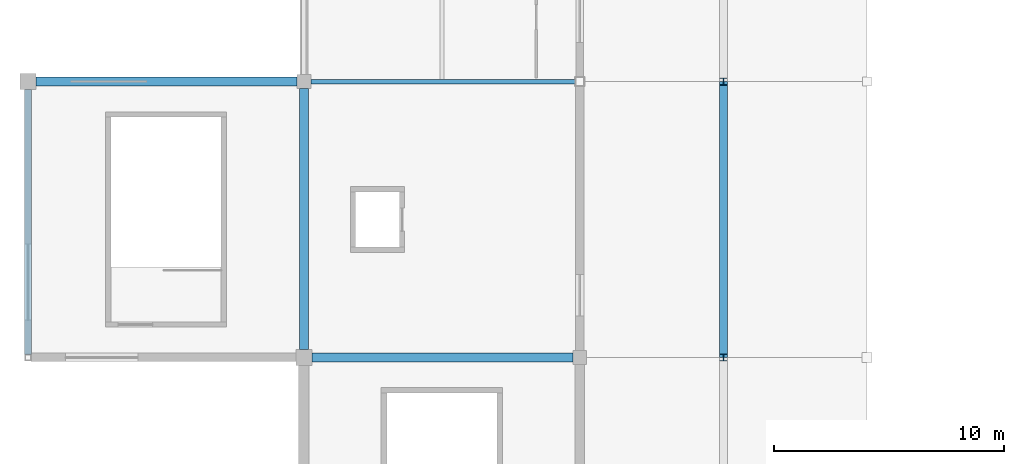
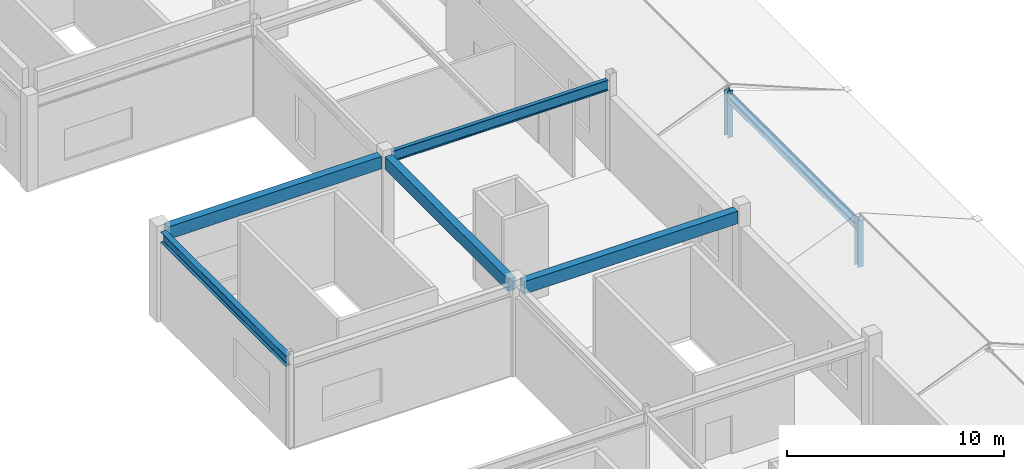
# One storey, part 28 of 76: 5 beams, 3 members.
"""IFC4 building model written with IfcOpenShell, lengths in metres."""

import ifcopenshell
import ifcopenshell.guid

model = None  # the IFC model being written
_history = None  # IfcOwnerHistory: only IFC2X3 demands one
_inside = {}  # id of a spatial element -> (the spatial element, [elements in it])
_under = {}  # id of a project, library or spatial element -> (it, [spatial elements below it])
_declared = {}  # id of a project -> (the project, [libraries it declares])
_typed = {}  # id of a type object -> (the type object, [elements of that type])
_made_of = {}  # id of a material, layer set ... -> (it, [elements and type objects made of it])


def new_model(schema):
    """Start an empty IFC model of exactly this schema.

    Asked for "IFC4X3", IfcOpenShell would pick the latest addendum, in which some entities
    have other attributes; the version numbers below select the first issue.
    IFC2X3 requires an IfcOwnerHistory on every rooted entity: one is made here for all.
    """
    global model, _history
    if schema == "IFC4X3":
        model = ifcopenshell.file(schema_version=(4, 3, 0, 0))
    else:
        model = ifcopenshell.file(schema=schema)
    _inside.clear()
    _under.clear()
    _declared.clear()
    _typed.clear()
    _made_of.clear()
    _history = None
    if model.schema == "IFC2X3":
        org = make("IfcOrganization", Name="unknown")
        user = make(
            "IfcPersonAndOrganization",
            ThePerson=make("IfcPerson", FamilyName="unknown"),
            TheOrganization=org,
        )
        app = make(
            "IfcApplication",
            ApplicationDeveloper=org,
            Version="unknown",
            ApplicationFullName="unknown",
            ApplicationIdentifier="unknown",
        )
        _history = make(
            "IfcOwnerHistory",
            OwningUser=user,
            OwningApplication=app,
            ChangeAction="ADDED",
            CreationDate=0,
        )
    return model


def make(cls, **values):
    """One entity of the class cls with the attributes given. An attribute that is None is left unset."""
    return model.create_entity(
        cls, **{name: value for name, value in values.items() if value is not None}
    )


def rooted(cls, **values):
    """An entity with a GlobalId (a new one), such as an element, a storey or a relation."""
    return make(cls, GlobalId=ifcopenshell.guid.new(), OwnerHistory=_history, **values)


def si_unit(unit_type, name, prefix=None):
    """IfcSIUnit, for example si_unit("LENGTHUNIT", "METRE", prefix="MILLI")."""
    return make("IfcSIUnit", UnitType=unit_type, Prefix=prefix, Name=name)


def assignment(units):
    """IfcUnitAssignment: the units of a project."""
    return None if units is None else make("IfcUnitAssignment", Units=units)


def point(xyz):
    """IfcCartesianPoint."""
    return None if xyz is None else make("IfcCartesianPoint", Coordinates=xyz)


def direction(xyz):
    """IfcDirection."""
    return None if xyz is None else make("IfcDirection", DirectionRatios=xyz)


def frame(location, z_axis=None, x_axis=None):
    """IfcAxis2Placement3D, a coordinate frame: its origin and axes. An axis left out is left unset."""
    return make(
        "IfcAxis2Placement3D",
        Location=point(location),
        Axis=direction(z_axis),
        RefDirection=direction(x_axis),
    )


def frame_2d(location, x_axis=None):
    """IfcAxis2Placement2D, a coordinate frame in the plane: its origin and x axis."""
    return make(
        "IfcAxis2Placement2D", Location=point(location), RefDirection=direction(x_axis)
    )


def origin():
    """The frame at (0, 0, 0) with its axes left unset."""
    return frame((0.0, 0.0, 0.0))


def origin_2d():
    """The frame at (0, 0) in the plane with its x axis left unset."""
    return frame_2d((0.0, 0.0))


def place(relative_to, where):
    """IfcLocalPlacement: puts the frame where relative to a parent placement (None: the world)."""
    return make(
        "IfcLocalPlacement", PlacementRelTo=relative_to, RelativePlacement=where
    )


def context(
    kind, dimensions, precision=None, world=None, true_north=None, identifier=None
):
    """IfcGeometricRepresentationContext, for example the 3D "Model" context."""
    return make(
        "IfcGeometricRepresentationContext",
        ContextIdentifier=identifier,
        ContextType=kind,
        CoordinateSpaceDimension=dimensions,
        Precision=precision,
        WorldCoordinateSystem=world,
        TrueNorth=true_north,
    )


def subcontext(parent, identifier, kind, view, scale=None):
    """IfcGeometricRepresentationSubContext, for example "Body" below "Model"."""
    return make(
        "IfcGeometricRepresentationSubContext",
        ContextIdentifier=identifier,
        ContextType=kind,
        ParentContext=parent,
        TargetScale=scale,
        TargetView=view,
    )


def project(units=None, contexts=None):
    """IfcProject with its units and contexts."""
    return rooted(
        "IfcProject",
        Name="project",
        RepresentationContexts=contexts,
        UnitsInContext=assignment(units),
    )


def spatial(cls, under=None, at=None, **own):
    """A site, building, storey or space (cls), placed at a placement, below another one or the project."""
    s = rooted(cls, ObjectPlacement=at, **own)
    if under is not None:
        _under.setdefault(under.id(), (under, []))[1].append(s)
    return s


def profile(cls, at=None, kind="AREA", **sizes):
    """A parametric profile (cls). Its sizes go by their IFC names, for example OverallWidth=200.0."""
    return make(cls, ProfileType=kind, Position=at, **sizes)


def rectangle(**sizes):
    """IfcRectangleProfileDef."""
    return profile("IfcRectangleProfileDef", **sizes)


def i_section(**sizes):
    """IfcIShapeProfileDef."""
    return profile("IfcIShapeProfileDef", **sizes)


def extrude(swept, where, along, depth):
    """IfcExtrudedAreaSolid: the profile swept, set in the frame where, extruded along a direction by depth."""
    return make(
        "IfcExtrudedAreaSolid",
        SweptArea=swept,
        Position=where,
        ExtrudedDirection=direction(along),
        Depth=depth,
    )


def shape(context_of_items, identifier, shape_type, items):
    """IfcShapeRepresentation: the items that make up one representation, for example the "Body"."""
    return make(
        "IfcShapeRepresentation",
        ContextOfItems=context_of_items,
        RepresentationIdentifier=identifier,
        RepresentationType=shape_type,
        Items=items,
    )


def material(Name=None, Category=None):
    """IfcMaterial."""
    return make("IfcMaterial", Name=Name, Category=Category)


def material_profile(
    of_material, cross_section, Name=None, Category=None, Priority=None
):
    """IfcMaterialProfile: a cross section and its material."""
    return make(
        "IfcMaterialProfile",
        Name=Name,
        Material=of_material,
        Profile=cross_section,
        Priority=Priority,
        Category=Category,
    )


def profile_set(profiles, Name=None, composite=None):
    """IfcMaterialProfileSet."""
    return make(
        "IfcMaterialProfileSet",
        Name=Name,
        MaterialProfiles=profiles,
        CompositeProfile=composite,
    )


def made_of(thing, what):
    """Note that an element or type object is made of a material, layer set ...; save() writes the relation."""
    if what is not None:
        _made_of.setdefault(what.id(), (what, []))[1].append(thing)
    return thing


def type_object(cls, material=None, **own):
    """A type object (cls), such as IfcWallType, which elements share."""
    return made_of(rooted(cls, **own), material)


def element(
    cls,
    number,
    at=None,
    inside=None,
    cuts=None,
    type_object=None,
    material=None,
    context=None,
    identifier="Body",
    shape_type=None,
    held_by="IfcProductDefinitionShape",
    body=None,
    shapes=None,
    **own,
):
    """One element of the class cls, such as IfcWall. Its Tag is "e" and its number.

    at: its placement. inside: the storey or other place that contains it. cuts: it is an
    opening in that element (IfcRelVoidsElement). A single representation is given by context,
    identifier, shape_type and body (its items); several are given by shapes. held_by: the class
    of the entity that holds the representations. save() writes the other relations.
    """
    e = rooted(cls, Tag="e%d" % number, ObjectPlacement=at, **own)
    if body is not None:
        shapes = [shape(context, identifier, shape_type, body)]
    if shapes is not None:
        e.Representation = make(held_by, Representations=shapes)
    if inside is not None:
        _inside.setdefault(inside.id(), (inside, []))[1].append(e)
    if cuts is not None:
        rooted(
            "IfcRelVoidsElement", RelatingBuildingElement=cuts, RelatedOpeningElement=e
        )
    if type_object is not None:
        _typed.setdefault(type_object.id(), (type_object, []))[1].append(e)
    return made_of(e, material)


def aggregate(whole, parts):
    """IfcRelAggregates: a whole, such as a stair, and the parts it consists of."""
    return rooted("IfcRelAggregates", RelatingObject=whole, RelatedObjects=parts)


def save(model, path):
    """Write the relations noted so far, then the file.

    IfcRelAggregates (storeys below a building ...), IfcRelContainedInSpatialStructure (elements
    in a storey), IfcRelDefinesByType, IfcRelAssociatesMaterial and IfcRelDeclares: one each for
    every whole, place, type object, material and project.
    """
    for whole, parts in _under.values():
        aggregate(whole, parts)
    for where, things in _inside.values():
        rooted(
            "IfcRelContainedInSpatialStructure",
            RelatedElements=things,
            RelatingStructure=where,
        )
    for kind, things in _typed.values():
        rooted("IfcRelDefinesByType", RelatedObjects=things, RelatingType=kind)
    for what, things in _made_of.values():
        rooted("IfcRelAssociatesMaterial", RelatedObjects=things, RelatingMaterial=what)
    for by, libraries in _declared.values():
        rooted("IfcRelDeclares", RelatingContext=by, RelatedDefinitions=libraries)
    model.write(path)


model = new_model("IFC4")

# Units and contexts
model_context = context("Model", 3, precision=1e-05, world=origin(), true_north=direction((0.0, 1.0)))
body_context = subcontext(model_context, "Body", "Model", "MODEL_VIEW")
ifc_project = project(units=[si_unit("LENGTHUNIT", "METRE"), si_unit("AREAUNIT", "SQUARE_METRE"), si_unit("VOLUMEUNIT", "CUBIC_METRE"), si_unit("PLANEANGLEUNIT", "RADIAN"), si_unit("MASSUNIT", "GRAM", prefix="KILO")], contexts=[model_context])

# Site, building, storey
site_placement = place(None, origin())
site = spatial("IfcSite", under=ifc_project, at=site_placement, CompositionType="ELEMENT")
building_placement = place(site_placement, origin())
building = spatial("IfcBuilding", under=site, at=building_placement, Name="Kazenohara Klinker Stadium", CompositionType="ELEMENT")
storey_placement = place(building_placement, frame((0.0, 0.0, 25.800048828125)))
storey = spatial("IfcBuildingStorey", under=building, at=storey_placement, Name="L05", CompositionType="ELEMENT", Elevation=25.800048828125)

# Beams
ifc_material_1 = material(Name="Concrete C40/50", Category="concrete")
ifc_material_profile_1 = material_profile(ifc_material_1, rectangle(XDim=0.39990234375, YDim=0.699951171875, at=origin_2d()), Name="RC-BM-400x700")
ifc_profile_set_1 = profile_set([ifc_material_profile_1], Name="Concrete C40/50")
beam_type_1 = type_object("IfcBeamType", Name="BM-RC04", PredefinedType="BEAM", material=ifc_profile_set_1)
for number, where, z_axis, x_axis, name in (
    (1, (0.35009765625, 72.0, 4.68994140625), (1.0, 0.0, 0.0), (0.0, 1.0, 0.0), "Primary girder BG04 L05 1-2/G"),
    (2, (12.35009765625, 60.0, 4.68994140625), (1.0, 0.0, 0.0), (0.0, 1.0, 0.0), "Primary girder BG04 L05 2-3/F"),
    (3, (12.0, 60.35009765625, 4.68994140625), (0.0, 1.0, 0.0), (-1.0, 0.0, 0.0), "Primary girder BG04 L05 2/F-G"),
):
    element("IfcBeam", number, at=place(storey_placement, frame(where, z_axis=z_axis, x_axis=x_axis)), inside=storey, type_object=beam_type_1, Name=name, PredefinedType="BEAM", context=body_context, shape_type="SweptSolid", body=[
        extrude(rectangle(XDim=0.39990234375, YDim=0.699951171875, at=origin_2d()), origin(), (0.0, 0.0, 1.0), 11.349853515625),
    ])
ifc_material_2 = material(Name="Steel S355", Category="steel")
ifc_material_profile_2 = material_profile(ifc_material_2, i_section(OverallWidth=0.199951171875, OverallDepth=0.60009765625, WebThickness=0.010986328125, FlangeThickness=0.01708984375, FilletRadius=0.012939453125, at=origin_2d()), Name="H-600x200x11x17")
ifc_profile_set_2 = profile_set([ifc_material_profile_2], Name="Steel S355")
beam_type_2 = type_object("IfcBeamType", Name="BM-ST04", PredefinedType="BEAM", material=ifc_profile_set_2)
beam_1_placement = place(storey_placement, frame((12.300048828125, 72.0, 4.739990234375), z_axis=(1.0, 0.0, 0.0), x_axis=(0.0, 1.0, 0.0)))
element("IfcBeam", 4, at=beam_1_placement, inside=storey, type_object=beam_type_2, Name="Primary girder SB04 L05 2-3/G", PredefinedType="BEAM", context=body_context, shape_type="SweptSolid", body=[
    extrude(i_section(OverallWidth=0.199951171875, OverallDepth=0.60009765625, WebThickness=0.010986328125, FlangeThickness=0.01708984375, FilletRadius=0.012939453125, at=origin_2d()), origin(), (0.0, 0.0, 1.0), 11.5),
])
ifc_material_profile_3 = material_profile(ifc_material_2, i_section(OverallWidth=0.300048828125, OverallDepth=0.587890625, WebThickness=0.011962890625, FlangeThickness=0.02001953125, FilletRadius=0.02197265625, at=origin_2d()), Name="H-588x300x12x20")
ifc_profile_set_3 = profile_set([ifc_material_profile_3], Name="Steel S355")
beam_type_3 = type_object("IfcBeamType", Name="BM-ST05", PredefinedType="BEAM", material=ifc_profile_set_3)
beam_2_placement = place(storey_placement, frame((0.0, 60.125, 4.745849609375), z_axis=(0.0, 1.0, 0.0), x_axis=(-1.0, 0.0, 0.0)))
element("IfcBeam", 5, at=beam_2_placement, inside=storey, type_object=beam_type_3, Name="Primary girder SB05 L05 1/F-G", PredefinedType="BEAM", context=body_context, shape_type="SweptSolid", body=[
    extrude(i_section(OverallWidth=0.300048828125, OverallDepth=0.587890625, WebThickness=0.011962890625, FlangeThickness=0.02001953125, FilletRadius=0.02197265625, at=origin_2d()), origin(), (0.0, 0.0, 1.0), 11.52490234375),
])

# Members
ifc_material_profile_4 = material_profile(ifc_material_2, i_section(OverallWidth=0.35009765625, OverallDepth=0.35009765625, WebThickness=0.011962890625, FlangeThickness=0.01904296875, FilletRadius=0.012939453125, at=origin_2d()), Name="H-350x350x12x19")
ifc_profile_set_4 = profile_set([ifc_material_profile_4], Name="Steel S355")
member_type_1 = type_object("IfcMemberType", Name="MEM-CHD02", PredefinedType="CHORD", material=ifc_profile_set_4)
member_placement = place(storey_placement, frame((30.25, 60.0, 1.829833984375), z_axis=(0.0, 1.0, 0.0), x_axis=(-1.0, 0.0, 0.0)))
element("IfcMember", 6, at=member_placement, inside=storey, type_object=member_type_1, Name="Stepped pavilion gable ridge beam L05 3/F", PredefinedType="CHORD", context=body_context, shape_type="SweptSolid", body=[
    extrude(i_section(OverallWidth=0.35009765625, OverallDepth=0.35009765625, WebThickness=0.011962890625, FlangeThickness=0.01904296875, FilletRadius=0.012939453125, at=origin_2d()), origin(), (0.0, 0.0, 1.0), 12.0),
])
ifc_material_profile_5 = material_profile(ifc_material_2, i_section(OverallWidth=0.300048828125, OverallDepth=0.300048828125, WebThickness=0.010009765625, FlangeThickness=0.014892578125, FilletRadius=0.012939453125, at=origin_2d()), Name="H-300x300x10x15")
ifc_profile_set_5 = profile_set([ifc_material_profile_5], Name="Steel S355")
member_type_2 = type_object("IfcMemberType", Name="MEM-STR01", PredefinedType="STRUT", material=ifc_profile_set_5)
for number, where, z_axis, x_axis, name in (
    (7, (30.25, 60.0, -0.429931640625), (0.0, 0.0, 1.0), (1.0, 0.0, 0.0), "Stepped pavilion gable king-post L05 3/E N"),
    (8, (30.25, 72.0, -0.429931640625), (0.0, 0.0, 1.0), (1.0, 0.0, 0.0), "Stepped pavilion gable king-post L05 3/G S"),
):
    element("IfcMember", number, at=place(storey_placement, frame(where, z_axis=z_axis, x_axis=x_axis)), inside=storey, type_object=member_type_2, Name=name, PredefinedType="STRUT", context=body_context, shape_type="SweptSolid", body=[
        extrude(i_section(OverallWidth=0.300048828125, OverallDepth=0.300048828125, WebThickness=0.010009765625, FlangeThickness=0.014892578125, FilletRadius=0.012939453125, at=origin_2d()), origin(), (0.0, 0.0, 1.0), 2.659912109375),
    ])

save(model, "model.ifc")
